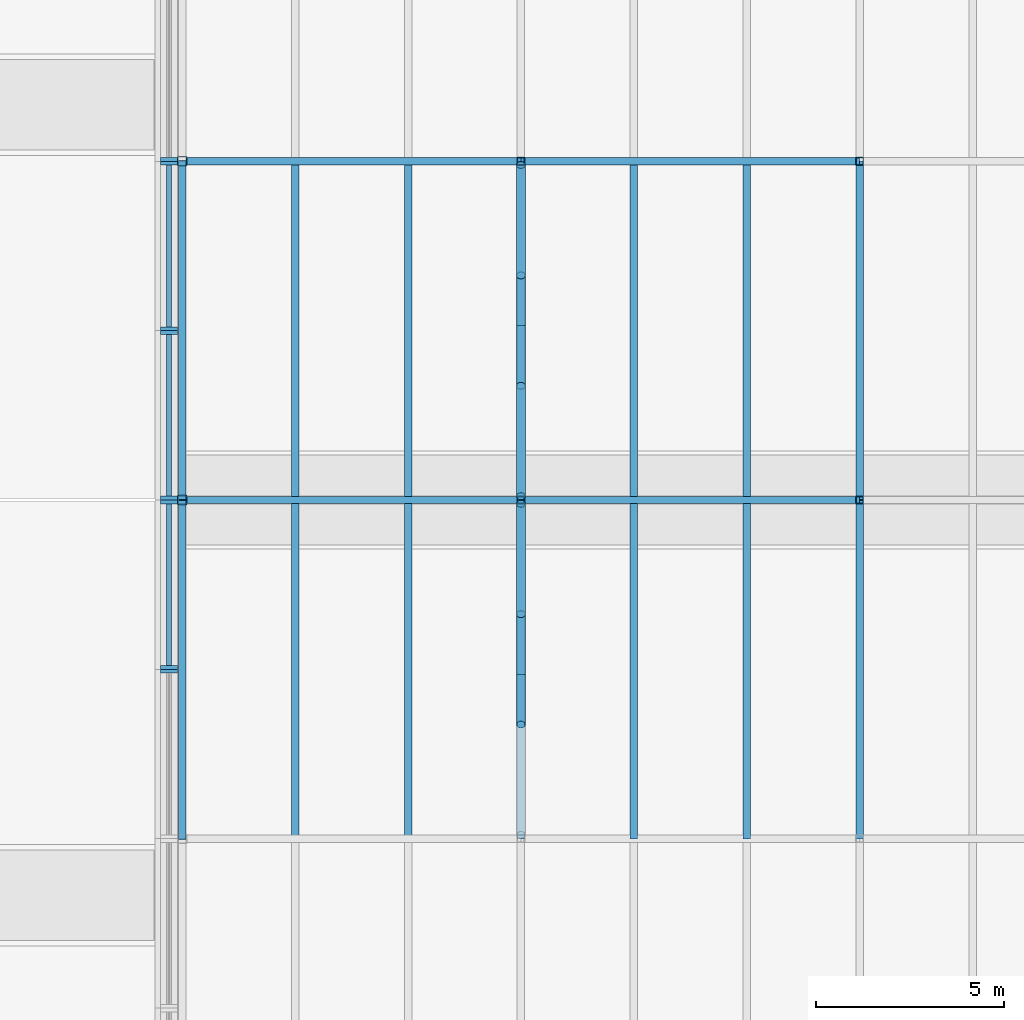
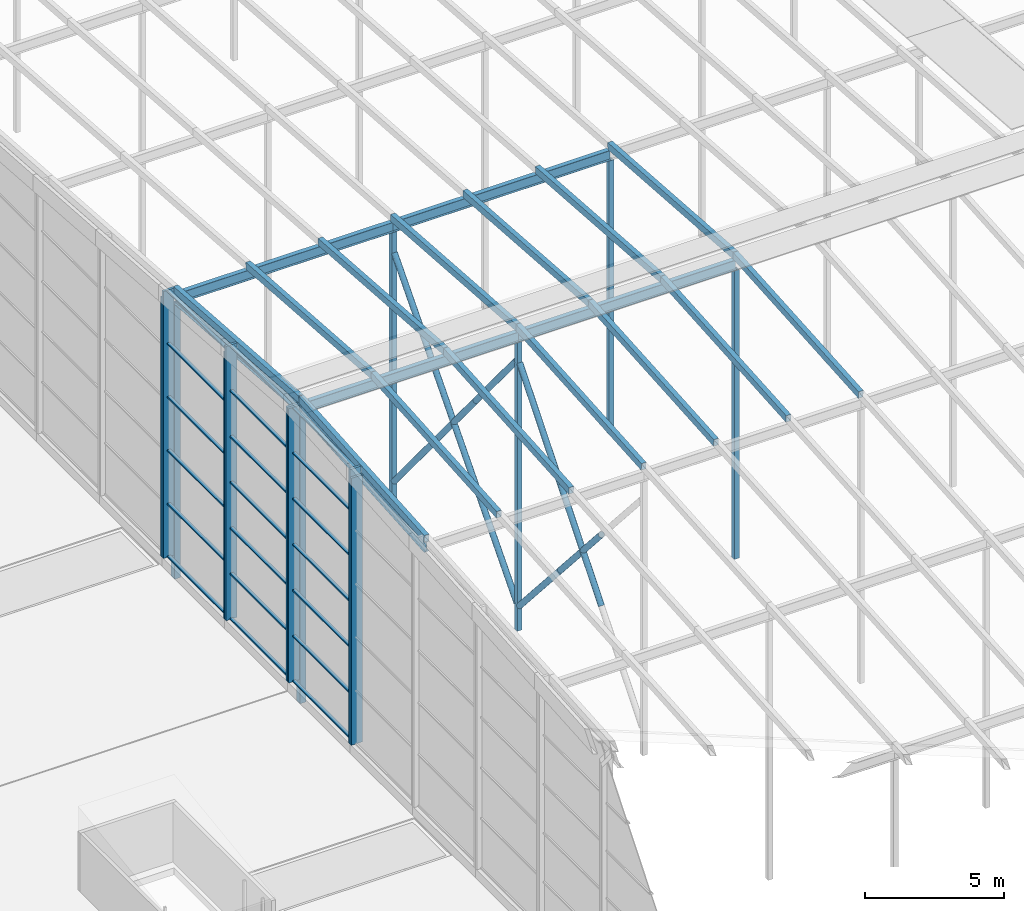
# One storey, part 11 of 84: 58 members, 6 beams, 5 elements without a shape of their own.
"""IFC4 building model written with IfcOpenShell, lengths in metres."""

from ifc_helpers import new_model, si_unit, direction, frame, origin, origin_2d, place, context, subcontext, project, spatial, rectangle, hollow_rectangle, hollow_circle, i_section, extrude, material, material_profile, profile_set, type_object, element, aggregate, save


model = new_model("IFC4")

# Units and contexts
model_context = context("Model", 3, precision=1e-05, world=origin(), true_north=direction((0.0, 1.0)))
body_context = subcontext(model_context, "Body", "Model", "MODEL_VIEW")
ifc_project = project(units=[si_unit("LENGTHUNIT", "METRE"), si_unit("AREAUNIT", "SQUARE_METRE"), si_unit("VOLUMEUNIT", "CUBIC_METRE"), si_unit("PLANEANGLEUNIT", "RADIAN"), si_unit("MASSUNIT", "GRAM", prefix="KILO")], contexts=[model_context])

# Site, building, storey
site_placement = place(None, origin())
site = spatial("IfcSite", under=ifc_project, at=site_placement, CompositionType="ELEMENT")
building_placement = place(site_placement, origin())
building = spatial("IfcBuilding", under=site, at=building_placement, Name="Silverbay Arena", CompositionType="ELEMENT")
storey_placement = place(building_placement, frame((0.0, 0.0, 47.10009765625)))
storey = spatial("IfcBuildingStorey", under=building, at=storey_placement, Name="ROOF", CompositionType="ELEMENT", Elevation=47.10009765625)

# Curtain wall, member
ifc_material_1 = material(Name="Aluminium framed glazing", Category="aluminium")
curtain_wall_type_1 = type_object("IfcCurtainWallType", Name="Curtain wall crown 4500 x 11700", PredefinedType="NOTDEFINED", material=ifc_material_1)
curtain_wall_1_placement = place(storey_placement, origin())
curtain_wall_1 = element("IfcCurtainWall", 1, at=curtain_wall_1_placement, inside=storey, type_object=curtain_wall_type_1, Name="ROOF CROWN CURTAIN WALL west bay 12", PredefinedType="NOTDEFINED")
ifc_material_2 = material(Name="Aluminium", Category="aluminium")
ifc_material_profile_1 = material_profile(ifc_material_2, rectangle(XDim=0.449951171875, YDim=0.10009765625, at=origin_2d()), Name="Mullion 100 x 450")
ifc_profile_set_1 = profile_set([ifc_material_profile_1], Name="Aluminium")
member_type_1 = type_object("IfcMemberType", Name="Mullion 100 x 450", PredefinedType="MULLION", material=ifc_profile_set_1)
placement = place(building_placement, frame((0.0, 0.0, 33.5)))
member_1_placement = place(placement, frame((80.64990234375, 76.449951171875, 14.050048828125), z_axis=(0.0, 0.0, 1.0), x_axis=(-1.0, 0.0, 0.0)))
member_1 = element("IfcMember", 2, at=member_1_placement, type_object=member_type_1, Name="CW74 mullion 2", PredefinedType="MULLION", context=body_context, shape_type="SweptSolid", body=[
    extrude(rectangle(XDim=0.449951171875, YDim=0.10009765625, at=origin_2d()), origin(), (0.0, 0.0, 1.0), 11.699951171875),
])
aggregate(curtain_wall_1, [member_1])

# Curtain wall, members
ifc_material_3 = material(Name="Aluminium framed glazing", Category="aluminium")
curtain_wall_type_2 = type_object("IfcCurtainWallType", Name="Curtain wall crown 4500 x 12025", PredefinedType="NOTDEFINED", material=ifc_material_3)
curtain_wall_2_placement = place(storey_placement, origin())
curtain_wall_2 = element("IfcCurtainWall", 3, at=curtain_wall_2_placement, inside=storey, type_object=curtain_wall_type_2, Name="ROOF CROWN CURTAIN WALL west bay 13", PredefinedType="NOTDEFINED")
member_2_placement = place(placement, frame((80.64990234375, 76.550048828125, 14.050048828125), z_axis=(0.0, 0.0, 1.0), x_axis=(-1.0, 0.0, 0.0)))
member_2 = element("IfcMember", 4, at=member_2_placement, type_object=member_type_1, Name="CW75 mullion 1", PredefinedType="MULLION", context=body_context, shape_type="SweptSolid", body=[
    extrude(rectangle(XDim=0.449951171875, YDim=0.10009765625, at=origin_2d()), origin(), (0.0, 0.0, 1.0), 12.02490234375),
])
member_3_placement = place(placement, frame((80.64990234375, 80.949951171875, 14.050048828125), z_axis=(0.0, 0.0, 1.0), x_axis=(-1.0, 0.0, 0.0)))
member_3 = element("IfcMember", 5, at=member_3_placement, type_object=member_type_1, Name="CW75 mullion 2", PredefinedType="MULLION", context=body_context, shape_type="SweptSolid", body=[
    extrude(rectangle(XDim=0.449951171875, YDim=0.10009765625, at=origin_2d()), origin(), (0.0, 0.0, 1.0), 12.02490234375),
])

curtain_wall_3_placement = place(storey_placement, origin())
curtain_wall_3 = element("IfcCurtainWall", 6, at=curtain_wall_3_placement, inside=storey, type_object=curtain_wall_type_2, Name="ROOF CROWN CURTAIN WALL west bay 14", PredefinedType="NOTDEFINED")
member_4_placement = place(placement, frame((80.64990234375, 81.050048828125, 14.050048828125), z_axis=(0.0, 0.0, 1.0), x_axis=(-1.0, 0.0, 0.0)))
member_4 = element("IfcMember", 7, at=member_4_placement, type_object=member_type_1, Name="CW75 mullion 1", PredefinedType="MULLION", context=body_context, shape_type="SweptSolid", body=[
    extrude(rectangle(XDim=0.449951171875, YDim=0.10009765625, at=origin_2d()), origin(), (0.0, 0.0, 1.0), 12.02490234375),
])
member_5_placement = place(placement, frame((80.64990234375, 85.449951171875, 14.050048828125), z_axis=(0.0, 0.0, 1.0), x_axis=(-1.0, 0.0, 0.0)))
member_5 = element("IfcMember", 8, at=member_5_placement, type_object=member_type_1, Name="CW75 mullion 2", PredefinedType="MULLION", context=body_context, shape_type="SweptSolid", body=[
    extrude(rectangle(XDim=0.449951171875, YDim=0.10009765625, at=origin_2d()), origin(), (0.0, 0.0, 1.0), 12.02490234375),
])

curtain_wall_4_placement = place(storey_placement, origin())
curtain_wall_4 = element("IfcCurtainWall", 9, at=curtain_wall_4_placement, inside=storey, type_object=curtain_wall_type_1, Name="ROOF CROWN CURTAIN WALL west bay 15", PredefinedType="NOTDEFINED")
member_6_placement = place(placement, frame((80.64990234375, 85.550048828125, 14.050048828125), z_axis=(0.0, 0.0, 1.0), x_axis=(-1.0, 0.0, 0.0)))
member_6 = element("IfcMember", 10, at=member_6_placement, type_object=member_type_1, Name="CW74 mullion 1", PredefinedType="MULLION", context=body_context, shape_type="SweptSolid", body=[
    extrude(rectangle(XDim=0.449951171875, YDim=0.10009765625, at=origin_2d()), origin(), (0.0, 0.0, 1.0), 11.699951171875),
])
member_7_placement = place(placement, frame((80.64990234375, 89.949951171875, 14.050048828125), z_axis=(0.0, 0.0, 1.0), x_axis=(-1.0, 0.0, 0.0)))
member_7 = element("IfcMember", 11, at=member_7_placement, type_object=member_type_1, Name="CW74 mullion 2", PredefinedType="MULLION", context=body_context, shape_type="SweptSolid", body=[
    extrude(rectangle(XDim=0.449951171875, YDim=0.10009765625, at=origin_2d()), origin(), (0.0, 0.0, 1.0), 11.699951171875),
])

# Curtain wall, member
ifc_material_4 = material(Name="Aluminium framed glazing", Category="aluminium")
curtain_wall_type_3 = type_object("IfcCurtainWallType", Name="Curtain wall crown 4500 x 11375", PredefinedType="NOTDEFINED", material=ifc_material_4)
curtain_wall_5_placement = place(storey_placement, origin())
curtain_wall_5 = element("IfcCurtainWall", 12, at=curtain_wall_5_placement, inside=storey, type_object=curtain_wall_type_3, Name="ROOF CROWN CURTAIN WALL west bay 16", PredefinedType="NOTDEFINED")
member_8_placement = place(placement, frame((80.64990234375, 90.050048828125, 14.050048828125), z_axis=(0.0, 0.0, 1.0), x_axis=(-1.0, 0.0, 0.0)))
member_8 = element("IfcMember", 13, at=member_8_placement, type_object=member_type_1, Name="CW73 mullion 1", PredefinedType="MULLION", context=body_context, shape_type="SweptSolid", body=[
    extrude(rectangle(XDim=0.449951171875, YDim=0.10009765625, at=origin_2d()), origin(), (0.0, 0.0, 1.0), 11.375),
])
aggregate(curtain_wall_5, [member_8])

# Members
ifc_material_5 = material(Name="Steel S355", Category="steel")
ifc_material_profile_2 = material_profile(ifc_material_5, hollow_rectangle(XDim=0.199951171875, YDim=0.300048828125, WallThickness=0.00634765625, at=origin_2d()), Name="RHS 300x200x6.3")
ifc_profile_set_2 = profile_set([ifc_material_profile_2], Name="Steel S355")
member_type_2 = type_object("IfcMemberType", Name="Purlin RHS 300x200x6.3", PredefinedType="PURLIN", material=ifc_profile_set_2)
for number, where, z_axis, x_axis, name in (
    (14, (84.0, 72.0, 11.99951171875), (0.0, 0.997402911363, 0.072023832195), (-1.0, 0.0, 0.0), "ROOF PURLIN crown line 02 bay 06"),
    (15, (84.0, 81.0, 12.6494140625), (0.0, 0.997402911363, -0.072023832195), (-1.0, 0.0, 0.0), "ROOF PURLIN crown line 02 bay 07"),
    (16, (87.0, 72.0, 11.99951171875), (0.0, 0.997402911363, 0.072023832195), (-1.0, 0.0, 0.0), "ROOF PURLIN crown line 03 bay 06"),
    (17, (87.0, 81.0, 12.6494140625), (0.0, 0.997402911363, -0.072023832195), (-1.0, 0.0, 0.0), "ROOF PURLIN crown line 03 bay 07"),
    (18, (90.0, 72.0, 11.99951171875), (0.0, 0.997402911363, 0.072023832195), (-1.0, 0.0, 0.0), "ROOF PURLIN crown line 04 bay 06"),
    (19, (90.0, 81.0, 12.6494140625), (0.0, 0.997402911363, -0.072023832195), (-1.0, 0.0, 0.0), "ROOF PURLIN crown line 04 bay 07"),
    (20, (93.0, 72.0, 11.99951171875), (0.0, 0.997402911363, 0.072023832195), (-1.0, 0.0, 0.0), "ROOF PURLIN crown line 05 bay 06"),
    (21, (93.0, 81.0, 12.6494140625), (0.0, 0.997402911363, -0.072023832195), (-1.0, 0.0, 0.0), "ROOF PURLIN crown line 05 bay 07"),
    (22, (96.0, 72.0, 11.99951171875), (0.0, 0.997402911363, 0.072023832195), (-1.0, 0.0, 0.0), "ROOF PURLIN crown line 06 bay 06"),
    (23, (96.0, 81.0, 12.6494140625), (0.0, 0.997402911363, -0.072023832195), (-1.0, 0.0, 0.0), "ROOF PURLIN crown line 06 bay 07"),
    (24, (99.0, 72.0, 11.99951171875), (0.0, 0.997402911363, 0.072023832195), (-1.0, 0.0, 0.0), "ROOF PURLIN crown line 07 bay 06"),
    (25, (99.0, 81.0, 12.6494140625), (0.0, 0.997402911363, -0.072023832195), (-1.0, 0.0, 0.0), "ROOF PURLIN crown line 07 bay 07"),
):
    element("IfcMember", number, at=place(storey_placement, frame(where, z_axis=z_axis, x_axis=x_axis)), inside=storey, type_object=member_type_2, Name=name, PredefinedType="PURLIN", context=body_context, shape_type="SweptSolid", body=[
        extrude(hollow_rectangle(XDim=0.199951171875, YDim=0.300048828125, WallThickness=0.00634765625, at=origin_2d()), origin(), (0.0, 0.0, 1.0), 9.0234375),
    ])
ifc_material_6 = material(Name="Steel S355", Category="steel")
ifc_material_profile_3 = material_profile(ifc_material_6, hollow_rectangle(XDim=0.199951171875, YDim=0.300048828125, WallThickness=0.008056640625, at=origin_2d()), Name="RHS 300x200x8")
ifc_profile_set_3 = profile_set([ifc_material_profile_3], Name="Steel S355")
member_type_3 = type_object("IfcMemberType", Name="Purlin RHS 300x200x8", PredefinedType="PURLIN", material=ifc_profile_set_3)
for number, where, z_axis, x_axis, name in (
    (26, (81.0, 72.0, 11.99951171875), (0.0, 0.997402911363, 0.072023832195), (-1.0, 0.0, 0.0), "ROOF PURLIN crown line 01 bay 06"),
    (27, (81.0, 81.0, 12.6494140625), (0.0, 0.997402911363, -0.072023832195), (-1.0, 0.0, 0.0), "ROOF PURLIN crown line 01 bay 07"),
):
    element("IfcMember", number, at=place(storey_placement, frame(where, z_axis=z_axis, x_axis=x_axis)), inside=storey, type_object=member_type_3, Name=name, PredefinedType="PURLIN", context=body_context, shape_type="SweptSolid", body=[
        extrude(hollow_rectangle(XDim=0.199951171875, YDim=0.300048828125, WallThickness=0.008056640625, at=origin_2d()), origin(), (0.0, 0.0, 1.0), 9.0234375),
    ])

# Beams
ifc_material_7 = material(Name="Steel S355", Category="steel")
ifc_material_profile_4 = material_profile(ifc_material_7, i_section(OverallWidth=0.18994140625, OverallDepth=0.453369140625, WebThickness=0.008544921875, FlangeThickness=0.0126953125, at=origin_2d()), Name="UB 457x191x67")
ifc_profile_set_4 = profile_set([ifc_material_profile_4], Name="Steel S355")
beam_type = type_object("IfcBeamType", Name="Ring beam UB 457x191x67", PredefinedType="BEAM", material=ifc_profile_set_4)
beam_1_placement = place(storey_placement, frame((81.094970703125, 81.0, 12.2724609375), z_axis=(1.0, 0.0, 0.0), x_axis=(0.0, 1.0, 0.0)))
element("IfcBeam", 28, at=beam_1_placement, inside=storey, type_object=beam_type, Name="RING BEAM crown row 07 10-11", PredefinedType="BEAM", context=body_context, shape_type="SweptSolid", body=[
    extrude(i_section(OverallWidth=0.18994140625, OverallDepth=0.453369140625, WebThickness=0.008544921875, FlangeThickness=0.0126953125, at=origin_2d()), origin(), (0.0, 0.0, 1.0), 8.905029296875),
])
beam_2_placement = place(storey_placement, frame((90.0, 81.0, 12.2724609375), z_axis=(1.0, 0.0, 0.0), x_axis=(0.0, 1.0, 0.0)))
element("IfcBeam", 29, at=beam_2_placement, inside=storey, type_object=beam_type, Name="RING BEAM crown row 07 11-12", PredefinedType="BEAM", context=body_context, shape_type="SweptSolid", body=[
    extrude(i_section(OverallWidth=0.18994140625, OverallDepth=0.453369140625, WebThickness=0.008544921875, FlangeThickness=0.0126953125, at=origin_2d()), origin(), (0.0, 0.0, 1.0), 9.0),
])
beam_3_placement = place(storey_placement, frame((81.094970703125, 90.0, 11.622314453125), z_axis=(1.0, 0.0, 0.0), x_axis=(0.0, 1.0, 0.0)))
element("IfcBeam", 30, at=beam_3_placement, inside=storey, type_object=beam_type, Name="RING BEAM crown row 08 10-11", PredefinedType="BEAM", context=body_context, shape_type="SweptSolid", body=[
    extrude(i_section(OverallWidth=0.18994140625, OverallDepth=0.453369140625, WebThickness=0.008544921875, FlangeThickness=0.0126953125, at=origin_2d()), origin(), (0.0, 0.0, 1.0), 8.905029296875),
])
beam_4_placement = place(storey_placement, frame((90.0, 90.0, 11.622314453125), z_axis=(1.0, 0.0, 0.0), x_axis=(0.0, 1.0, 0.0)))
element("IfcBeam", 31, at=beam_4_placement, inside=storey, type_object=beam_type, Name="RING BEAM crown row 08 11-12", PredefinedType="BEAM", context=body_context, shape_type="SweptSolid", body=[
    extrude(i_section(OverallWidth=0.18994140625, OverallDepth=0.453369140625, WebThickness=0.008544921875, FlangeThickness=0.0126953125, at=origin_2d()), origin(), (0.0, 0.0, 1.0), 9.0),
])
for number, where, z_axis, x_axis, name in (
    (32, (81.0, 72.0, 11.622314453125), (0.0, 0.997400967367, 0.07205074805), (-1.0, 0.0, 0.0), "RING BEAM crown west edge 06"),
    (33, (81.0, 81.0, 12.2724609375), (0.0, 0.997400967367, -0.07205074805), (-1.0, 0.0, 0.0), "RING BEAM crown west edge 07"),
):
    element("IfcBeam", number, at=place(storey_placement, frame(where, z_axis=z_axis, x_axis=x_axis)), inside=storey, type_object=beam_type, Name=name, PredefinedType="BEAM", context=body_context, shape_type="SweptSolid", body=[
        extrude(i_section(OverallWidth=0.18994140625, OverallDepth=0.453369140625, WebThickness=0.008544921875, FlangeThickness=0.0126953125, at=origin_2d()), origin(), (0.0, 0.0, 1.0), 9.0234375),
    ])

# Members
ifc_material_8 = material(Name="Steel S355", Category="steel")
ifc_material_profile_5 = material_profile(ifc_material_8, hollow_rectangle(XDim=0.199951171875, YDim=0.199951171875, WallThickness=0.008056640625, at=origin_2d()), Name="SHS 200x200x8")
ifc_profile_set_5 = profile_set([ifc_material_profile_5], Name="Steel S355")
member_type_4 = type_object("IfcMemberType", Name="Roof post SHS 200x200x8", PredefinedType="POST", material=ifc_profile_set_5)
member_9_placement = place(storey_placement, frame((90.0, 81.0, -0.60009765625), z_axis=(0.0, 0.0, 1.0), x_axis=(1.0, 0.0, 0.0)))
element("IfcMember", 34, at=member_9_placement, inside=storey, type_object=member_type_4, Name="ROOF CROWN POST 11 row 07", PredefinedType="POST", context=body_context, shape_type="SweptSolid", body=[
    extrude(hollow_rectangle(XDim=0.199951171875, YDim=0.199951171875, WallThickness=0.008056640625, at=origin_2d()), origin(), (0.0, 0.0, 1.0), 12.645751953125),
])
member_10_placement = place(storey_placement, frame((90.0, 90.0, -0.60009765625), z_axis=(0.0, 0.0, 1.0), x_axis=(1.0, 0.0, 0.0)))
element("IfcMember", 35, at=member_10_placement, inside=storey, type_object=member_type_4, Name="ROOF CROWN POST 11 row 08", PredefinedType="POST", context=body_context, shape_type="SweptSolid", body=[
    extrude(hollow_rectangle(XDim=0.199951171875, YDim=0.199951171875, WallThickness=0.008056640625, at=origin_2d()), origin(), (0.0, 0.0, 1.0), 11.995849609375),
])
member_11_placement = place(storey_placement, frame((99.0, 81.0, -0.60009765625), z_axis=(0.0, 0.0, 1.0), x_axis=(1.0, 0.0, 0.0)))
element("IfcMember", 36, at=member_11_placement, inside=storey, type_object=member_type_4, Name="ROOF CROWN POST 12 row 07", PredefinedType="POST", context=body_context, shape_type="SweptSolid", body=[
    extrude(hollow_rectangle(XDim=0.199951171875, YDim=0.199951171875, WallThickness=0.008056640625, at=origin_2d()), origin(), (0.0, 0.0, 1.0), 12.645751953125),
])
member_12_placement = place(storey_placement, frame((99.0, 90.0, -0.60009765625), z_axis=(0.0, 0.0, 1.0), x_axis=(1.0, 0.0, 0.0)))
element("IfcMember", 37, at=member_12_placement, inside=storey, type_object=member_type_4, Name="ROOF CROWN POST 12 row 08", PredefinedType="POST", context=body_context, shape_type="SweptSolid", body=[
    extrude(hollow_rectangle(XDim=0.199951171875, YDim=0.199951171875, WallThickness=0.008056640625, at=origin_2d()), origin(), (0.0, 0.0, 1.0), 11.995849609375),
])
ifc_material_9 = material(Name="Steel S355", Category="steel")
ifc_material_profile_6 = material_profile(ifc_material_9, hollow_rectangle(XDim=0.25, YDim=0.25, WallThickness=0.008056640625, at=origin_2d()), Name="SHS 250x250x8")
ifc_profile_set_6 = profile_set([ifc_material_profile_6], Name="Steel S355")
member_type_5 = type_object("IfcMemberType", Name="Roof post SHS 250x250x8", PredefinedType="POST", material=ifc_profile_set_6)
member_13_placement = place(storey_placement, frame((81.0, 81.0, -0.60009765625), z_axis=(0.0, 0.0, 1.0), x_axis=(1.0, 0.0, 0.0)))
element("IfcMember", 38, at=member_13_placement, inside=storey, type_object=member_type_5, Name="ROOF CROWN POST 10 row 07", PredefinedType="POST", context=body_context, shape_type="SweptSolid", body=[
    extrude(hollow_rectangle(XDim=0.25, YDim=0.25, WallThickness=0.008056640625, at=origin_2d()), origin(), (0.0, 0.0, 1.0), 12.645751953125),
])
member_14_placement = place(storey_placement, frame((81.0, 90.0, -0.60009765625), z_axis=(0.0, 0.0, 1.0), x_axis=(1.0, 0.0, 0.0)))
element("IfcMember", 39, at=member_14_placement, inside=storey, type_object=member_type_5, Name="ROOF CROWN POST 10 row 08", PredefinedType="POST", context=body_context, shape_type="SweptSolid", body=[
    extrude(hollow_rectangle(XDim=0.25, YDim=0.25, WallThickness=0.008056640625, at=origin_2d()), origin(), (0.0, 0.0, 1.0), 11.995849609375),
])

# Member
ifc_material_10 = material(Name="Aluminium", Category="aluminium")
ifc_material_profile_7 = material_profile(ifc_material_10, rectangle(XDim=0.139892578125, YDim=0.06005859375, at=origin_2d()), Name="Transom 60 x 140")
ifc_profile_set_7 = profile_set([ifc_material_profile_7], Name="Aluminium")
member_type_6 = type_object("IfcMemberType", Name="Transom 60 x 140", PredefinedType="USERDEFINED", material=ifc_profile_set_7)
member_15_placement = place(placement, frame((80.64990234375, 76.60009765625, 14.080078125), z_axis=(0.0, 1.0, 0.0), x_axis=(-1.0, 0.0, 0.0)))
member_15 = element("IfcMember", 40, at=member_15_placement, type_object=member_type_6, Name="CW75 transom 1.1", ObjectType="TRANSOM", PredefinedType="USERDEFINED", context=body_context, shape_type="SweptSolid", body=[
    extrude(rectangle(XDim=0.139892578125, YDim=0.06005859375, at=origin_2d()), origin(), (0.0, 0.0, 1.0), 4.2998046875),
])

member_16_placement = place(placement, frame((80.64990234375, 76.60009765625, 16.05419921875), z_axis=(0.0, 1.0, 0.0), x_axis=(-1.0, 0.0, 0.0)))
member_16 = element("IfcMember", 41, at=member_16_placement, type_object=member_type_6, Name="CW75 transom 1.2", ObjectType="TRANSOM", PredefinedType="USERDEFINED", context=body_context, shape_type="SweptSolid", body=[
    extrude(rectangle(XDim=0.139892578125, YDim=0.06005859375, at=origin_2d()), origin(), (0.0, 0.0, 1.0), 4.2998046875),
])

member_17_placement = place(placement, frame((80.64990234375, 76.60009765625, 18.058349609375), z_axis=(0.0, 1.0, 0.0), x_axis=(-1.0, 0.0, 0.0)))
member_17 = element("IfcMember", 42, at=member_17_placement, type_object=member_type_6, Name="CW75 transom 1.3", ObjectType="TRANSOM", PredefinedType="USERDEFINED", context=body_context, shape_type="SweptSolid", body=[
    extrude(rectangle(XDim=0.139892578125, YDim=0.06005859375, at=origin_2d()), origin(), (0.0, 0.0, 1.0), 4.2998046875),
])

member_18_placement = place(placement, frame((80.64990234375, 76.60009765625, 20.0625), z_axis=(0.0, 1.0, 0.0), x_axis=(-1.0, 0.0, 0.0)))
member_18 = element("IfcMember", 43, at=member_18_placement, type_object=member_type_6, Name="CW75 transom 1.4", ObjectType="TRANSOM", PredefinedType="USERDEFINED", context=body_context, shape_type="SweptSolid", body=[
    extrude(rectangle(XDim=0.139892578125, YDim=0.06005859375, at=origin_2d()), origin(), (0.0, 0.0, 1.0), 4.2998046875),
])

member_19_placement = place(placement, frame((80.64990234375, 76.60009765625, 22.066650390625), z_axis=(0.0, 1.0, 0.0), x_axis=(-1.0, 0.0, 0.0)))
member_19 = element("IfcMember", 44, at=member_19_placement, type_object=member_type_6, Name="CW75 transom 1.5", ObjectType="TRANSOM", PredefinedType="USERDEFINED", context=body_context, shape_type="SweptSolid", body=[
    extrude(rectangle(XDim=0.139892578125, YDim=0.06005859375, at=origin_2d()), origin(), (0.0, 0.0, 1.0), 4.2998046875),
])

member_20_placement = place(placement, frame((80.64990234375, 76.60009765625, 24.07080078125), z_axis=(0.0, 1.0, 0.0), x_axis=(-1.0, 0.0, 0.0)))
member_20 = element("IfcMember", 45, at=member_20_placement, type_object=member_type_6, Name="CW75 transom 1.6", ObjectType="TRANSOM", PredefinedType="USERDEFINED", context=body_context, shape_type="SweptSolid", body=[
    extrude(rectangle(XDim=0.139892578125, YDim=0.06005859375, at=origin_2d()), origin(), (0.0, 0.0, 1.0), 4.2998046875),
])

member_21_placement = place(placement, frame((80.64990234375, 76.60009765625, 26.044921875), z_axis=(0.0, 1.0, 0.0), x_axis=(-1.0, 0.0, 0.0)))
member_21 = element("IfcMember", 46, at=member_21_placement, type_object=member_type_6, Name="CW75 transom 1.7", ObjectType="TRANSOM", PredefinedType="USERDEFINED", context=body_context, shape_type="SweptSolid", body=[
    extrude(rectangle(XDim=0.139892578125, YDim=0.06005859375, at=origin_2d()), origin(), (0.0, 0.0, 1.0), 4.2998046875),
])

aggregate(curtain_wall_2, [member_2, member_3, member_15, member_16, member_17, member_18, member_19, member_20, member_21])

member_22_placement = place(placement, frame((80.64990234375, 81.10009765625, 14.080078125), z_axis=(0.0, 1.0, 0.0), x_axis=(-1.0, 0.0, 0.0)))
member_22 = element("IfcMember", 47, at=member_22_placement, type_object=member_type_6, Name="CW75 transom 1.1", ObjectType="TRANSOM", PredefinedType="USERDEFINED", context=body_context, shape_type="SweptSolid", body=[
    extrude(rectangle(XDim=0.139892578125, YDim=0.06005859375, at=origin_2d()), origin(), (0.0, 0.0, 1.0), 4.2998046875),
])

member_23_placement = place(placement, frame((80.64990234375, 81.10009765625, 16.05419921875), z_axis=(0.0, 1.0, 0.0), x_axis=(-1.0, 0.0, 0.0)))
member_23 = element("IfcMember", 48, at=member_23_placement, type_object=member_type_6, Name="CW75 transom 1.2", ObjectType="TRANSOM", PredefinedType="USERDEFINED", context=body_context, shape_type="SweptSolid", body=[
    extrude(rectangle(XDim=0.139892578125, YDim=0.06005859375, at=origin_2d()), origin(), (0.0, 0.0, 1.0), 4.2998046875),
])

member_24_placement = place(placement, frame((80.64990234375, 81.10009765625, 18.058349609375), z_axis=(0.0, 1.0, 0.0), x_axis=(-1.0, 0.0, 0.0)))
member_24 = element("IfcMember", 49, at=member_24_placement, type_object=member_type_6, Name="CW75 transom 1.3", ObjectType="TRANSOM", PredefinedType="USERDEFINED", context=body_context, shape_type="SweptSolid", body=[
    extrude(rectangle(XDim=0.139892578125, YDim=0.06005859375, at=origin_2d()), origin(), (0.0, 0.0, 1.0), 4.2998046875),
])

member_25_placement = place(placement, frame((80.64990234375, 81.10009765625, 20.0625), z_axis=(0.0, 1.0, 0.0), x_axis=(-1.0, 0.0, 0.0)))
member_25 = element("IfcMember", 50, at=member_25_placement, type_object=member_type_6, Name="CW75 transom 1.4", ObjectType="TRANSOM", PredefinedType="USERDEFINED", context=body_context, shape_type="SweptSolid", body=[
    extrude(rectangle(XDim=0.139892578125, YDim=0.06005859375, at=origin_2d()), origin(), (0.0, 0.0, 1.0), 4.2998046875),
])

member_26_placement = place(placement, frame((80.64990234375, 81.10009765625, 22.066650390625), z_axis=(0.0, 1.0, 0.0), x_axis=(-1.0, 0.0, 0.0)))
member_26 = element("IfcMember", 51, at=member_26_placement, type_object=member_type_6, Name="CW75 transom 1.5", ObjectType="TRANSOM", PredefinedType="USERDEFINED", context=body_context, shape_type="SweptSolid", body=[
    extrude(rectangle(XDim=0.139892578125, YDim=0.06005859375, at=origin_2d()), origin(), (0.0, 0.0, 1.0), 4.2998046875),
])

member_27_placement = place(placement, frame((80.64990234375, 81.10009765625, 24.07080078125), z_axis=(0.0, 1.0, 0.0), x_axis=(-1.0, 0.0, 0.0)))
member_27 = element("IfcMember", 52, at=member_27_placement, type_object=member_type_6, Name="CW75 transom 1.6", ObjectType="TRANSOM", PredefinedType="USERDEFINED", context=body_context, shape_type="SweptSolid", body=[
    extrude(rectangle(XDim=0.139892578125, YDim=0.06005859375, at=origin_2d()), origin(), (0.0, 0.0, 1.0), 4.2998046875),
])

member_28_placement = place(placement, frame((80.64990234375, 81.10009765625, 26.044921875), z_axis=(0.0, 1.0, 0.0), x_axis=(-1.0, 0.0, 0.0)))
member_28 = element("IfcMember", 53, at=member_28_placement, type_object=member_type_6, Name="CW75 transom 1.7", ObjectType="TRANSOM", PredefinedType="USERDEFINED", context=body_context, shape_type="SweptSolid", body=[
    extrude(rectangle(XDim=0.139892578125, YDim=0.06005859375, at=origin_2d()), origin(), (0.0, 0.0, 1.0), 4.2998046875),
])

aggregate(curtain_wall_3, [member_4, member_5, member_22, member_23, member_24, member_25, member_26, member_27, member_28])

member_29_placement = place(placement, frame((80.64990234375, 85.60009765625, 14.080078125), z_axis=(0.0, 1.0, 0.0), x_axis=(-1.0, 0.0, 0.0)))
member_29 = element("IfcMember", 54, at=member_29_placement, type_object=member_type_6, Name="CW74 transom 1.1", ObjectType="TRANSOM", PredefinedType="USERDEFINED", context=body_context, shape_type="SweptSolid", body=[
    extrude(rectangle(XDim=0.139892578125, YDim=0.06005859375, at=origin_2d()), origin(), (0.0, 0.0, 1.0), 4.2998046875),
])

member_30_placement = place(placement, frame((80.64990234375, 85.60009765625, 16.389892578125), z_axis=(0.0, 1.0, 0.0), x_axis=(-1.0, 0.0, 0.0)))
member_30 = element("IfcMember", 55, at=member_30_placement, type_object=member_type_6, Name="CW74 transom 1.2", ObjectType="TRANSOM", PredefinedType="USERDEFINED", context=body_context, shape_type="SweptSolid", body=[
    extrude(rectangle(XDim=0.139892578125, YDim=0.06005859375, at=origin_2d()), origin(), (0.0, 0.0, 1.0), 4.2998046875),
])

member_31_placement = place(placement, frame((80.64990234375, 85.60009765625, 18.72998046875), z_axis=(0.0, 1.0, 0.0), x_axis=(-1.0, 0.0, 0.0)))
member_31 = element("IfcMember", 56, at=member_31_placement, type_object=member_type_6, Name="CW74 transom 1.3", ObjectType="TRANSOM", PredefinedType="USERDEFINED", context=body_context, shape_type="SweptSolid", body=[
    extrude(rectangle(XDim=0.139892578125, YDim=0.06005859375, at=origin_2d()), origin(), (0.0, 0.0, 1.0), 4.2998046875),
])

member_32_placement = place(placement, frame((80.64990234375, 85.60009765625, 21.070068359375), z_axis=(0.0, 1.0, 0.0), x_axis=(-1.0, 0.0, 0.0)))
member_32 = element("IfcMember", 57, at=member_32_placement, type_object=member_type_6, Name="CW74 transom 1.4", ObjectType="TRANSOM", PredefinedType="USERDEFINED", context=body_context, shape_type="SweptSolid", body=[
    extrude(rectangle(XDim=0.139892578125, YDim=0.06005859375, at=origin_2d()), origin(), (0.0, 0.0, 1.0), 4.2998046875),
])

member_33_placement = place(placement, frame((80.64990234375, 85.60009765625, 23.409912109375), z_axis=(0.0, 1.0, 0.0), x_axis=(-1.0, 0.0, 0.0)))
member_33 = element("IfcMember", 58, at=member_33_placement, type_object=member_type_6, Name="CW74 transom 1.5", ObjectType="TRANSOM", PredefinedType="USERDEFINED", context=body_context, shape_type="SweptSolid", body=[
    extrude(rectangle(XDim=0.139892578125, YDim=0.06005859375, at=origin_2d()), origin(), (0.0, 0.0, 1.0), 4.2998046875),
])

member_34_placement = place(placement, frame((80.64990234375, 85.60009765625, 25.719970703125), z_axis=(0.0, 1.0, 0.0), x_axis=(-1.0, 0.0, 0.0)))
member_34 = element("IfcMember", 59, at=member_34_placement, type_object=member_type_6, Name="CW74 transom 1.6", ObjectType="TRANSOM", PredefinedType="USERDEFINED", context=body_context, shape_type="SweptSolid", body=[
    extrude(rectangle(XDim=0.139892578125, YDim=0.06005859375, at=origin_2d()), origin(), (0.0, 0.0, 1.0), 4.2998046875),
])

aggregate(curtain_wall_4, [member_6, member_7, member_29, member_30, member_31, member_32, member_33, member_34])

# Members
ifc_material_11 = material(Name="Steel S355", Category="steel")
ifc_material_profile_8 = material_profile(ifc_material_11, hollow_circle(Radius=0.122314453125, WallThickness=0.00634765625, at=origin_2d()), Name="CHS 244.5x6.3")
ifc_profile_set_8 = profile_set([ifc_material_profile_8], Name="Steel S355")
member_type_7 = type_object("IfcMemberType", Name="Vertical bracing CHS 244.5x6.3", PredefinedType="BRACE", material=ifc_profile_set_8)
for number, where, z_axis, x_axis, name in (
    (60, (90.0, 75.033447265625, 4.046142578125), (0.0, 0.637357057866, 0.770568608748), (-1.0, 0.0, 0.0), "ROOF CROWN BRACING W bay 06 Ab"),
    (61, (90.0, 77.966552734375, 7.59228515625), (0.0, 0.637388556794, 0.770542554093), (-1.0, 0.0, 0.0), "ROOF CROWN BRACING W bay 06 Ac"),
):
    element("IfcMember", number, at=place(storey_placement, frame(where, z_axis=z_axis, x_axis=x_axis)), inside=storey, type_object=member_type_7, Name=name, PredefinedType="BRACE", context=body_context, shape_type="SweptSolid", body=[
        extrude(hollow_circle(Radius=0.122314453125, WallThickness=0.00634765625, at=origin_2d()), origin(), (0.0, 0.0, 1.0), 4.60205078125),
    ])
for number, where, z_axis, x_axis, name in (
    (62, (90.0, 75.033447265625, 7.168701171875), (0.0, 0.660471729298, -0.750850913829), (-1.0, 0.0, 0.0), "ROOF CROWN BRACING W bay 06 Bb"),
    (63, (90.0, 77.966552734375, 3.834228515625), (0.0, 0.660529984399, -0.750799666828), (-1.0, 0.0, 0.0), "ROOF CROWN BRACING W bay 06 Bc"),
    (64, (90.0, 81.10009765625, 0.5), (0.0, 0.660529984399, 0.750799666828), (-1.0, 0.0, 0.0), "ROOF CROWN BRACING W bay 07 Aa"),
    (65, (90.0, 84.033447265625, 3.834228515625), (0.0, 0.660471729298, 0.750850913829), (-1.0, 0.0, 0.0), "ROOF CROWN BRACING W bay 07 Ab"),
    (66, (90.0, 86.966552734375, 7.168701171875), (0.0, 0.660529984399, 0.750799666828), (-1.0, 0.0, 0.0), "ROOF CROWN BRACING W bay 07 Ac"),
):
    element("IfcMember", number, at=place(storey_placement, frame(where, z_axis=z_axis, x_axis=x_axis)), inside=storey, type_object=member_type_7, Name=name, PredefinedType="BRACE", context=body_context, shape_type="SweptSolid", body=[
        extrude(hollow_circle(Radius=0.122314453125, WallThickness=0.00634765625, at=origin_2d()), origin(), (0.0, 0.0, 1.0), 4.44091796875),
    ])
for number, where, z_axis, x_axis, name in (
    (67, (90.0, 81.10009765625, 11.138427734375), (0.0, 0.637388556794, -0.770542554093), (-1.0, 0.0, 0.0), "ROOF CROWN BRACING W bay 07 Ba"),
    (68, (90.0, 84.033447265625, 7.59228515625), (0.0, 0.637357057866, -0.770568608748), (-1.0, 0.0, 0.0), "ROOF CROWN BRACING W bay 07 Bb"),
    (69, (90.0, 86.966552734375, 4.046142578125), (0.0, 0.637388556794, -0.770542554093), (-1.0, 0.0, 0.0), "ROOF CROWN BRACING W bay 07 Bc"),
):
    element("IfcMember", number, at=place(storey_placement, frame(where, z_axis=z_axis, x_axis=x_axis)), inside=storey, type_object=member_type_7, Name=name, PredefinedType="BRACE", context=body_context, shape_type="SweptSolid", body=[
        extrude(hollow_circle(Radius=0.122314453125, WallThickness=0.00634765625, at=origin_2d()), origin(), (0.0, 0.0, 1.0), 4.60205078125),
    ])

save(model, "model.ifc")
